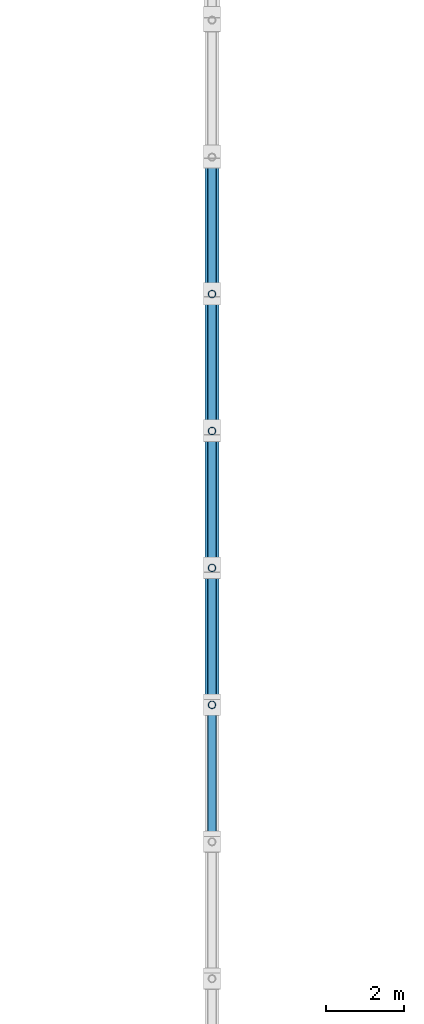
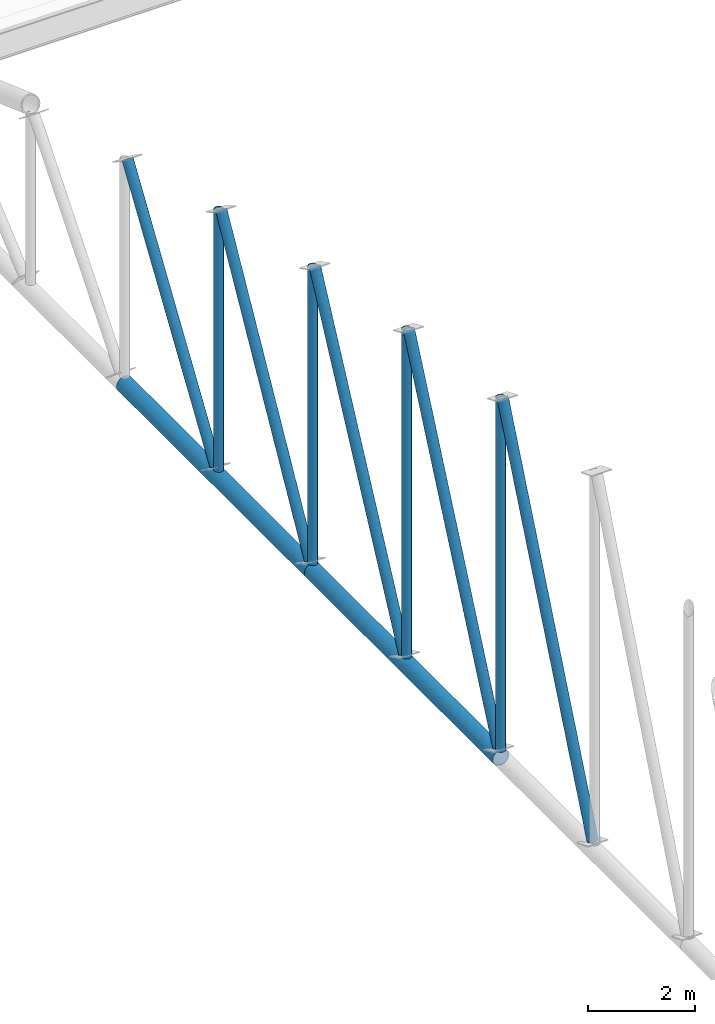
# One storey, part 79 of 196: 11 members.
"""IFC4 building model written with IfcOpenShell, lengths in metres."""

from ifc_helpers import new_model, si_unit, direction, frame, origin, origin_2d, place, context, subcontext, project, spatial, hollow_circle, extrude, material, material_profile, profile_set, type_object, element, save


model = new_model("IFC4")

# Units and contexts
model_context = context("Model", 3, precision=1e-05, world=origin(), true_north=direction((0.0, 1.0)))
body_context = subcontext(model_context, "Body", "Model", "MODEL_VIEW")
ifc_project = project(units=[si_unit("LENGTHUNIT", "METRE"), si_unit("AREAUNIT", "SQUARE_METRE"), si_unit("VOLUMEUNIT", "CUBIC_METRE"), si_unit("PLANEANGLEUNIT", "RADIAN"), si_unit("MASSUNIT", "GRAM", prefix="KILO")], contexts=[model_context])

# Site, building, storey
site_placement = place(None, origin())
site = spatial("IfcSite", under=ifc_project, at=site_placement, CompositionType="ELEMENT")
building_placement = place(site_placement, origin())
building = spatial("IfcBuilding", under=site, at=building_placement, Name="Okhra Congress Centre", CompositionType="ELEMENT")
storey_placement = place(building_placement, frame((0.0, 0.0, 12.0)))
storey = spatial("IfcBuildingStorey", under=building, at=storey_placement, Name="L02", CompositionType="ELEMENT", Elevation=12.0)

# Members
ifc_material = material(Name="Steel S355J2H", Category="steel")
ifc_material_profile_1 = material_profile(ifc_material, hollow_circle(Radius=0.096923828125, WallThickness=0.008056640625, at=origin_2d()), Name="CHS 193.7x8.0")
ifc_profile_set_1 = profile_set([ifc_material_profile_1], Name="Steel S355J2H")
member_type_1 = type_object("IfcMemberType", Name="CHS 193.7x8.0", PredefinedType="POST", material=ifc_profile_set_1)
member_1_placement = place(storey_placement, frame((118.0, 188.0, 1.577880859375), z_axis=(0.0, 0.0, 1.0), x_axis=(1.0, 0.0, 0.0)))
element("IfcMember", 1, at=member_1_placement, inside=storey, type_object=member_type_1, Name="EH.MEM.L02.T6-VER-16", PredefinedType="POST", context=body_context, shape_type="SweptSolid", body=[
    extrude(hollow_circle(Radius=0.096923828125, WallThickness=0.008056640625, at=origin_2d()), origin(), (0.0, 0.0, 1.0), 8.01708984375),
])
member_2_placement = place(storey_placement, frame((118.0, 191.5, 1.577880859375), z_axis=(0.0, 0.0, 1.0), x_axis=(1.0, 0.0, 0.0)))
element("IfcMember", 2, at=member_2_placement, inside=storey, type_object=member_type_1, Name="EH.MEM.L02.T6-VER-17", PredefinedType="POST", context=body_context, shape_type="SweptSolid", body=[
    extrude(hollow_circle(Radius=0.096923828125, WallThickness=0.008056640625, at=origin_2d()), origin(), (0.0, 0.0, 1.0), 7.448974609375),
])
member_3_placement = place(storey_placement, frame((118.0, 195.0, 1.577880859375), z_axis=(0.0, 0.0, 1.0), x_axis=(1.0, 0.0, 0.0)))
element("IfcMember", 3, at=member_3_placement, inside=storey, type_object=member_type_1, Name="EH.MEM.L02.T6-VER-18", PredefinedType="POST", context=body_context, shape_type="SweptSolid", body=[
    extrude(hollow_circle(Radius=0.096923828125, WallThickness=0.008056640625, at=origin_2d()), origin(), (0.0, 0.0, 1.0), 6.750244140625),
])
member_4_placement = place(storey_placement, frame((118.0, 198.5, 1.577880859375), z_axis=(0.0, 0.0, 1.0), x_axis=(1.0, 0.0, 0.0)))
element("IfcMember", 4, at=member_4_placement, inside=storey, type_object=member_type_1, Name="EH.MEM.L02.T6-VER-19", PredefinedType="POST", context=body_context, shape_type="SweptSolid", body=[
    extrude(hollow_circle(Radius=0.096923828125, WallThickness=0.008056640625, at=origin_2d()), origin(), (0.0, 0.0, 1.0), 5.917724609375),
])
ifc_material_profile_2 = material_profile(ifc_material, hollow_circle(Radius=0.109619140625, WallThickness=0.010009765625, at=origin_2d()), Name="CHS 219.1x10.0")
ifc_profile_set_2 = profile_set([ifc_material_profile_2], Name="Steel S355J2H")
member_type_2 = type_object("IfcMemberType", Name="CHS 219.1x10.0", PredefinedType="BRACE", material=ifc_profile_set_2)
member_5_placement = place(storey_placement, frame((118.0, 187.926513671875, 9.6240234375), z_axis=(0.0, -0.384613395842, -0.92307775173), x_axis=(1.0, 0.0, 0.0)))
element("IfcMember", 5, at=member_5_placement, inside=storey, type_object=member_type_2, Name="EH.MEM.L02.T6-DIA-15", PredefinedType="BRACE", context=body_context, shape_type="SweptSolid", body=[
    extrude(hollow_circle(Radius=0.109619140625, WallThickness=0.010009765625, at=origin_2d()), origin(), (0.0, 0.0, 1.0), 8.716552734375),
])
member_6_placement = place(storey_placement, frame((118.0, 191.42236328125, 9.0595703125), z_axis=(0.0, -0.407953800593, -0.913002572057), x_axis=(1.0, 0.0, 0.0)))
element("IfcMember", 6, at=member_6_placement, inside=storey, type_object=member_type_2, Name="EH.MEM.L02.T6-DIA-16", PredefinedType="BRACE", context=body_context, shape_type="SweptSolid", body=[
    extrude(hollow_circle(Radius=0.109619140625, WallThickness=0.010009765625, at=origin_2d()), origin(), (0.0, 0.0, 1.0), 8.194580078125),
])
member_7_placement = place(storey_placement, frame((118.0, 194.916259765625, 8.365234375), z_axis=(0.0, -0.440367038805, -0.897817838503), x_axis=(1.0, 0.0, 0.0)))
element("IfcMember", 7, at=member_7_placement, inside=storey, type_object=member_type_2, Name="EH.MEM.L02.T6-DIA-17", PredefinedType="BRACE", context=body_context, shape_type="SweptSolid", body=[
    extrude(hollow_circle(Radius=0.109619140625, WallThickness=0.010009765625, at=origin_2d()), origin(), (0.0, 0.0, 1.0), 7.559814453125),
])
member_8_placement = place(storey_placement, frame((118.0, 198.4072265625, 7.538330078125), z_axis=(0.0, -0.485332749729, -0.874329527147), x_axis=(1.0, 0.0, 0.0)))
element("IfcMember", 8, at=member_8_placement, inside=storey, type_object=member_type_2, Name="EH.MEM.L02.T6-DIA-18", PredefinedType="BRACE", context=body_context, shape_type="SweptSolid", body=[
    extrude(hollow_circle(Radius=0.109619140625, WallThickness=0.010009765625, at=origin_2d()), origin(), (0.0, 0.0, 1.0), 6.817138671875),
])
ifc_material_profile_3 = material_profile(ifc_material, hollow_circle(Radius=0.109619140625, WallThickness=0.012451171875, at=origin_2d()), Name="CHS 219.1x12.5")
ifc_profile_set_3 = profile_set([ifc_material_profile_3], Name="Steel S355J2H")
member_type_3 = type_object("IfcMemberType", Name="CHS 219.1x12.5", PredefinedType="BRACE", material=ifc_profile_set_3)
member_9_placement = place(storey_placement, frame((118.0, 201.89404296875, 6.576416015625), z_axis=(0.0, -0.548312008951, -0.836273843211), x_axis=(1.0, 0.0, 0.0)))
element("IfcMember", 9, at=member_9_placement, inside=storey, type_object=member_type_3, Name="EH.MEM.L02.T6-DIA-19", PredefinedType="BRACE", context=body_context, shape_type="SweptSolid", body=[
    extrude(hollow_circle(Radius=0.109619140625, WallThickness=0.012451171875, at=origin_2d()), origin(), (0.0, 0.0, 1.0), 5.97705078125),
])
ifc_material_profile_4 = material_profile(ifc_material, hollow_circle(Radius=0.177734375, WallThickness=0.01611328125, at=origin_2d()), Name="CHS 355.6x16.0")
ifc_profile_set_4 = profile_set([ifc_material_profile_4], Name="Steel S355J2H")
member_type_4 = type_object("IfcMemberType", Name="CHS 355.6x16.0", PredefinedType="CHORD", material=ifc_profile_set_4)
for number, where, z_axis, x_axis, name in (
    (10, (118.0, 188.0, 1.39990234375), (0.0, 1.0, 0.0), (-1.0, 0.0, 0.0), "EH.MEM.L02.T6-BOT-09"),
    (11, (118.0, 195.0, 1.39990234375), (0.0, 1.0, 0.0), (-1.0, 0.0, 0.0), "EH.MEM.L02.T6-BOT-10"),
):
    element("IfcMember", number, at=place(storey_placement, frame(where, z_axis=z_axis, x_axis=x_axis)), inside=storey, type_object=member_type_4, Name=name, PredefinedType="CHORD", context=body_context, shape_type="SweptSolid", body=[
        extrude(hollow_circle(Radius=0.177734375, WallThickness=0.01611328125, at=origin_2d()), origin(), (0.0, 0.0, 1.0), 7.0),
    ])

save(model, "model.ifc")
